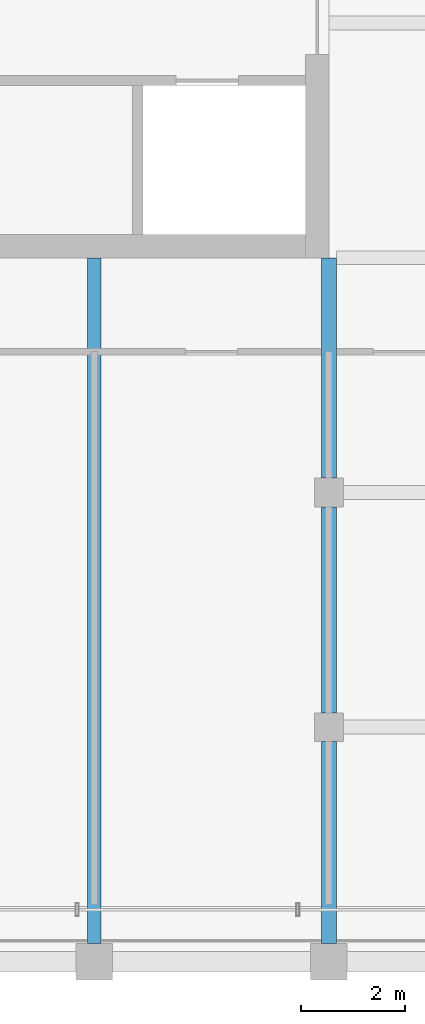
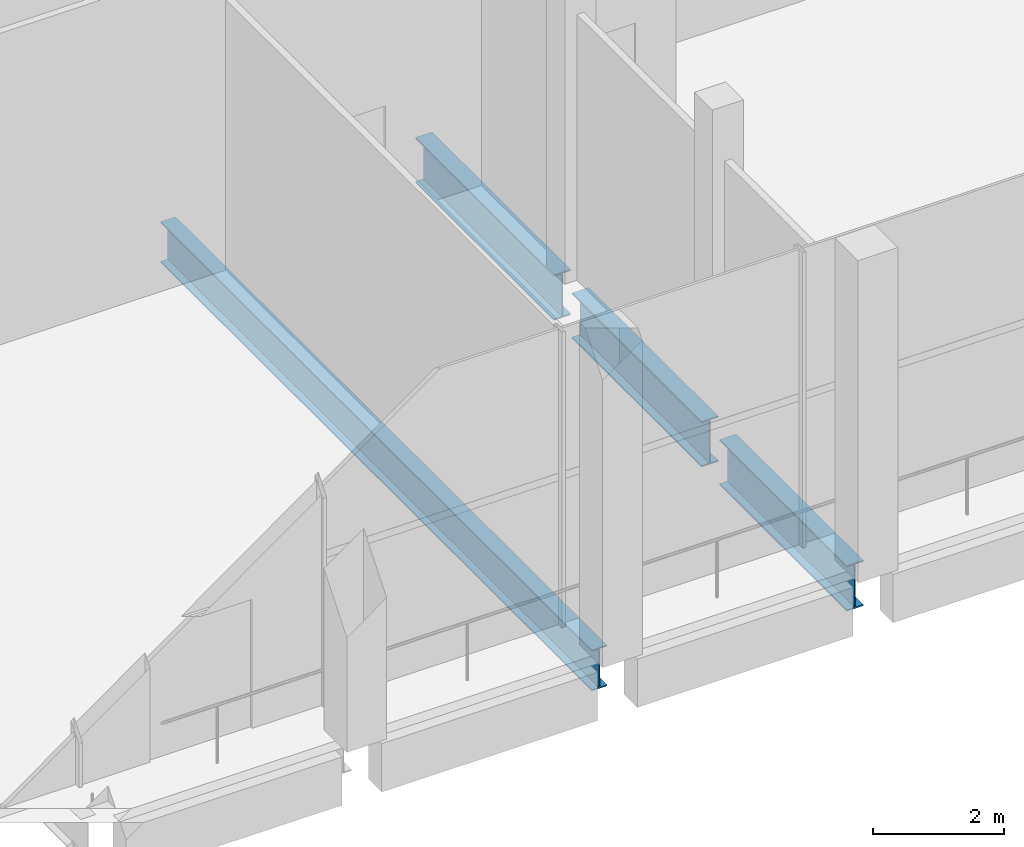
# One storey, part 6 of 15: 4 beams.
"""IFC4 building model written with IfcOpenShell, lengths in metres."""

from ifc_helpers import new_model, si_unit, direction, frame, origin, origin_2d, place, context, subcontext, project, spatial, i_section, extrude, material, material_profile, profile_set, type_object, element, save


model = new_model("IFC4")

# Units and contexts
model_context = context("Model", 3, precision=1e-05, world=origin(), true_north=direction((0.0, 1.0)))
body_context = subcontext(model_context, "Body", "Model", "MODEL_VIEW")
ifc_project = project(units=[si_unit("LENGTHUNIT", "METRE"), si_unit("AREAUNIT", "SQUARE_METRE"), si_unit("VOLUMEUNIT", "CUBIC_METRE"), si_unit("PLANEANGLEUNIT", "RADIAN"), si_unit("MASSUNIT", "GRAM", prefix="KILO")], contexts=[model_context])

# Site, building, storey
site_placement = place(None, origin())
site = spatial("IfcSite", under=ifc_project, at=site_placement, CompositionType="ELEMENT")
building_placement = place(site_placement, origin())
building = spatial("IfcBuilding", under=site, at=building_placement, Name="Altepetl Exchange Towers", CompositionType="ELEMENT")
storey_placement = place(building_placement, frame((0.0, 0.0, 263.60009765625)))
storey = spatial("IfcBuildingStorey", under=building, at=storey_placement, Name="L67 Observation deck", CompositionType="ELEMENT", Elevation=263.60009765625)

# Beams
ifc_material = material(Name="Steel S355", Category="steel")
ifc_material_profile_1 = material_profile(ifc_material, i_section(OverallWidth=0.26611328125, OverallDepth=0.758056640625, WebThickness=0.013916015625, FlangeThickness=0.019287109375, at=origin_2d()), Name="W30X108")
ifc_profile_set_1 = profile_set([ifc_material_profile_1], Name="Steel S355")
beam_type_1 = type_object("IfcBeamType", Name="Floor beam W30X108", PredefinedType="BEAM", material=ifc_profile_set_1)
beam_1_placement = place(storey_placement, frame((54.0, 27.35009765625, -0.55419921875), z_axis=(0.0, 1.0, 0.0), x_axis=(-1.0, 0.0, 0.0)))
element("IfcBeam", 1, at=beam_1_placement, inside=storey, type_object=beam_type_1, Name="bm:A:L67:011", PredefinedType="BEAM", context=body_context, shape_type="SweptSolid", body=[
    extrude(i_section(OverallWidth=0.26611328125, OverallDepth=0.758056640625, WebThickness=0.013916015625, FlangeThickness=0.019287109375, at=origin_2d()), origin(), (0.0, 0.0, 1.0), 13.14990234375),
])
ifc_material_profile_2 = material_profile(ifc_material, i_section(OverallWidth=0.2939453125, OverallDepth=0.845947265625, WebThickness=0.015380859375, FlangeThickness=0.0244140625, at=origin_2d()), Name="W33X141")
ifc_profile_set_2 = profile_set([ifc_material_profile_2], Name="Steel S355")
beam_type_2 = type_object("IfcBeamType", Name="Girder W33X141", PredefinedType="BEAM", material=ifc_profile_set_2)
beam_2_placement = place(storey_placement, frame((58.5, 40.5, -0.59814453125), z_axis=(0.0, -1.0, 0.0), x_axis=(1.0, 0.0, 0.0)))
element("IfcBeam", 2, at=beam_2_placement, inside=storey, type_object=beam_type_2, Name="gd:A:L67:000", PredefinedType="BEAM", context=body_context, shape_type="SweptSolid", body=[
    extrude(i_section(OverallWidth=0.2939453125, OverallDepth=0.845947265625, WebThickness=0.015380859375, FlangeThickness=0.0244140625, at=origin_2d()), origin(), (0.0, 0.0, 1.0), 4.22509765625),
])
beam_3_placement = place(storey_placement, frame((58.5, 35.72509765625, -0.59814453125), z_axis=(0.0, -1.0, 0.0), x_axis=(1.0, 0.0, 0.0)))
element("IfcBeam", 3, at=beam_3_placement, inside=storey, type_object=beam_type_2, Name="gd:A:L67:001", PredefinedType="BEAM", context=body_context, shape_type="SweptSolid", body=[
    extrude(i_section(OverallWidth=0.2939453125, OverallDepth=0.845947265625, WebThickness=0.015380859375, FlangeThickness=0.0244140625, at=origin_2d()), origin(), (0.0, 0.0, 1.0), 3.9501953125),
])
beam_4_placement = place(storey_placement, frame((58.5, 31.22509765625, -0.59814453125), z_axis=(0.0, -1.0, 0.0), x_axis=(1.0, 0.0, 0.0)))
element("IfcBeam", 4, at=beam_4_placement, inside=storey, type_object=beam_type_2, Name="gd:A:L67:002", PredefinedType="BEAM", context=body_context, shape_type="SweptSolid", body=[
    extrude(i_section(OverallWidth=0.2939453125, OverallDepth=0.845947265625, WebThickness=0.015380859375, FlangeThickness=0.0244140625, at=origin_2d()), origin(), (0.0, 0.0, 1.0), 3.875),
])

save(model, "model.ifc")
